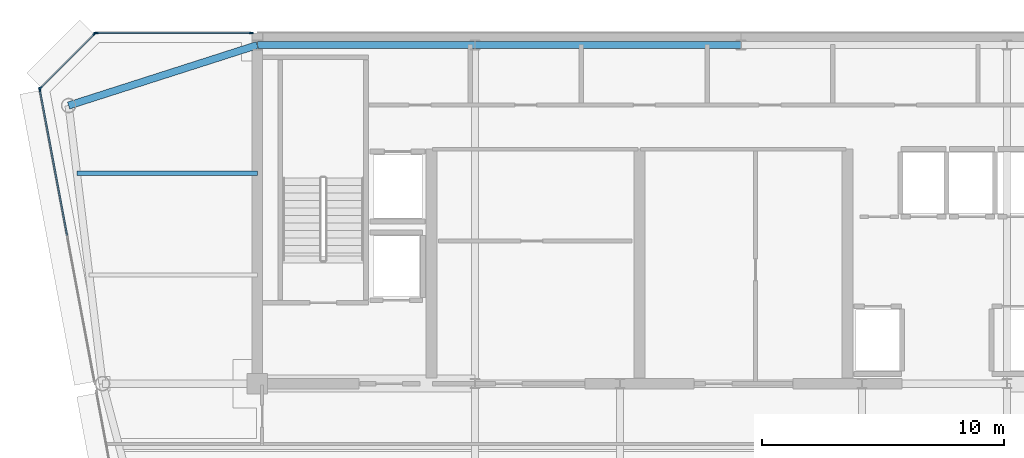
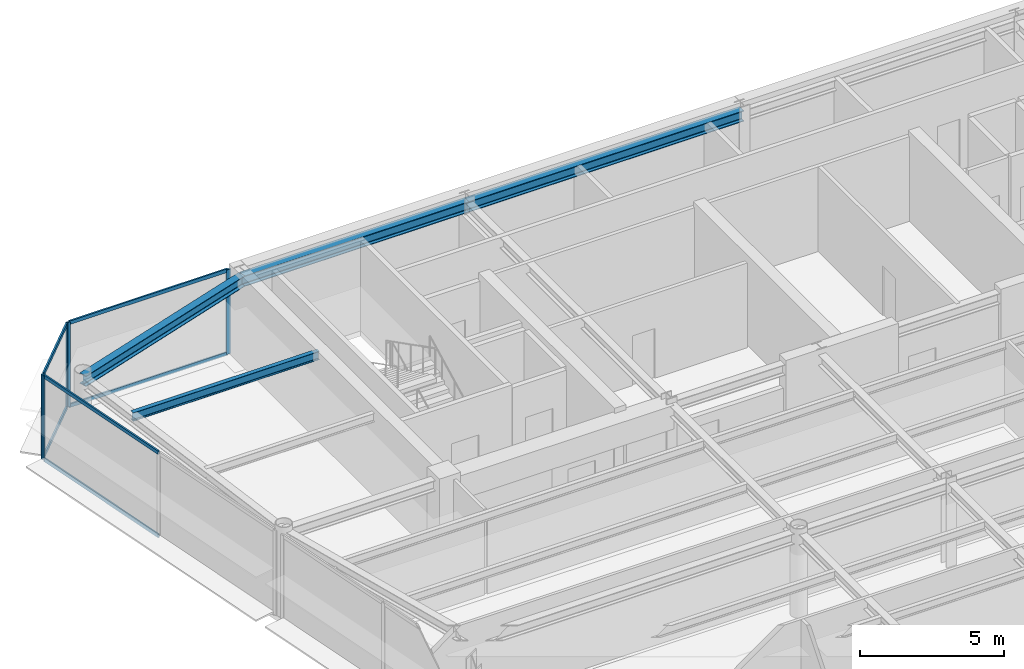
# One storey, part 8 of 20: 11 members, 4 beams, 3 elements without a shape of their own.
"""IFC4 building model written with IfcOpenShell, lengths in metres."""

from ifc_helpers import new_model, si_unit, direction, frame, origin, origin_2d, place, context, subcontext, project, spatial, rectangle, i_section, extrude, source, transform, mapped, material, layer, layer_set, material_profile, profile_set, type_object, element, aggregate, save


model = new_model("IFC4")

# Units and contexts
model_context = context("Model", 3, precision=1e-05, world=origin(), true_north=direction((0.0, 1.0)))
body_context = subcontext(model_context, "Body", "Model", "MODEL_VIEW")
ifc_project = project(units=[si_unit("LENGTHUNIT", "METRE"), si_unit("AREAUNIT", "SQUARE_METRE"), si_unit("VOLUMEUNIT", "CUBIC_METRE"), si_unit("PLANEANGLEUNIT", "RADIAN"), si_unit("MASSUNIT", "GRAM", prefix="KILO")], contexts=[model_context])

# Site, building, storey
site_placement = place(None, origin())
site = spatial("IfcSite", under=ifc_project, at=site_placement, CompositionType="ELEMENT")
building_placement = place(site_placement, origin())
building = spatial("IfcBuilding", under=site, at=building_placement, Name="Vaeldorn Concourse Tower", CompositionType="ELEMENT")
storey_placement = place(building_placement, frame((0.0, 0.0, 295.39990234375)))
storey = spatial("IfcBuildingStorey", under=building, at=storey_placement, Name="L76", CompositionType="ELEMENT", Elevation=295.39990234375)

# Beams
ifc_material_1 = material(Name="Steel S355", Category="steel")
ifc_material_profile_1 = material_profile(ifc_material_1, i_section(OverallWidth=0.300048828125, OverallDepth=0.449951171875, WebThickness=0.013916015625, FlangeThickness=0.02587890625, FilletRadius=0.027099609375, at=origin_2d()), Name="HEB 450")
ifc_profile_set_1 = profile_set([ifc_material_profile_1], Name="Steel S355")
beam_type_1 = type_object("IfcBeamType", Name="BM-PG-HEB450", PredefinedType="BEAM", material=ifc_profile_set_1)
shared_shape_1 = source(origin(), body_context, "Body", "SweptSolid", [
    extrude(i_section(OverallWidth=0.300048828125, OverallDepth=0.449951171875, WebThickness=0.013916015625, FlangeThickness=0.02587890625, FilletRadius=0.027099609375, at=origin_2d()), origin(), (0.0, 0.0, 1.0), 11.0),
])
beam_1_placement = place(storey_placement, frame((23.0, 50.5, 3.35498046875), z_axis=(1.0, 0.0, 0.0), x_axis=(0.0, 1.0, 0.0)))
element("IfcBeam", 1, at=beam_1_placement, inside=storey, type_object=beam_type_1, Name="Beam BM-L76-C-HC2-C-HC3", PredefinedType="BEAM", context=body_context, shape_type="MappedRepresentation", body=[
    mapped(shared_shape_1, transform((0.0, 0.0, 0.0), scale=1.0)),
])
ifc_material_profile_2 = material_profile(ifc_material_1, i_section(OverallWidth=0.169921875, OverallDepth=0.360107421875, WebThickness=0.008056640625, FlangeThickness=0.0126953125, FilletRadius=0.01806640625, at=origin_2d()), Name="IPE 360")
ifc_profile_set_2 = profile_set([ifc_material_profile_2], Name="Steel S355")
beam_type_2 = type_object("IfcBeamType", Name="BM-JS-IPE360", PredefinedType="JOIST", material=ifc_profile_set_2)
shared_shape_2 = source(origin(), body_context, "Body", "SweptSolid", [
    extrude(i_section(OverallWidth=0.169921875, OverallDepth=0.360107421875, WebThickness=0.008056640625, FlangeThickness=0.0126953125, FilletRadius=0.01806640625, at=origin_2d()), origin(), (0.0, 0.0, 1.0), 7.458984375),
])
beam_2_placement = place(storey_placement, frame((6.541015625, 45.199951171875, 3.400146484375), z_axis=(1.0, 0.0, 0.0), x_axis=(0.0, 1.0, 0.0)))
element("IfcBeam", 2, at=beam_2_placement, inside=storey, type_object=beam_type_2, Name="Beam JS-L76-NW-452", PredefinedType="JOIST", context=body_context, shape_type="MappedRepresentation", body=[
    mapped(shared_shape_2, transform((0.0, 0.0, 0.0), scale=1.0)),
])
shared_shape_3 = source(origin(), body_context, "Body", "SweptSolid", [
    extrude(i_section(OverallWidth=0.300048828125, OverallDepth=0.449951171875, WebThickness=0.013916015625, FlangeThickness=0.02587890625, FilletRadius=0.027099609375, at=origin_2d()), origin(), (0.0, 0.0, 1.0), 9.0),
])
beam_3_placement = place(storey_placement, frame((14.0, 50.5, 3.35498046875), z_axis=(1.0, 0.0, 0.0), x_axis=(0.0, 1.0, 0.0)))
element("IfcBeam", 3, at=beam_3_placement, inside=storey, type_object=beam_type_1, Name="Beam BM-L76-C-HC1-C-HC2", PredefinedType="BEAM", context=body_context, shape_type="MappedRepresentation", body=[
    mapped(shared_shape_3, transform((0.0, 0.0, 0.0), scale=1.0)),
])
shared_shape_4 = source(origin(), body_context, "Body", "SweptSolid", [
    extrude(i_section(OverallWidth=0.300048828125, OverallDepth=0.449951171875, WebThickness=0.013916015625, FlangeThickness=0.02587890625, FilletRadius=0.027099609375, at=origin_2d()), origin(), (0.0, 0.0, 1.0), 8.19091796875),
])
beam_4_placement = place(storey_placement, frame((6.199951171875, 48.0, 3.35498046875), z_axis=(0.952282843383, 0.305216949396, 0.0), x_axis=(-0.305216949396, 0.952282843383, 0.0)))
element("IfcBeam", 4, at=beam_4_placement, inside=storey, type_object=beam_type_1, Name="Beam BM-L76-C-NW1-C-HC1", PredefinedType="BEAM", context=body_context, shape_type="MappedRepresentation", body=[
    mapped(shared_shape_4, transform((0.0, 0.0, 0.0), scale=1.0)),
])

# Curtain wall, members
ifc_material_2 = material(Name="Anodised Bronze Aluminium", Category="aluminium")
ifc_layer = layer(ifc_material_2, 0.179931640625)
ifc_layer_set = layer_set([ifc_layer], Name="Anodised Bronze Aluminium")
curtain_wall_type = type_object("IfcCurtainWallType", Name="CW-SYS-05", PredefinedType="NOTDEFINED", material=ifc_layer_set)
curtain_wall_1_placement = place(storey_placement, origin())
curtain_wall_1 = element("IfcCurtainWall", 5, at=curtain_wall_1_placement, inside=storey, type_object=curtain_wall_type, Name="Unitised Curtain Wall CW-L76-E10-1", PredefinedType="NOTDEFINED")
ifc_material_profile_3 = material_profile(ifc_material_2, rectangle(XDim=0.06494140625, YDim=0.14990234375, at=origin_2d()), Name="CWT 65x150")
ifc_profile_set_3 = profile_set([ifc_material_profile_3], Name="Anodised Bronze Aluminium")
member_type_1 = type_object("IfcMemberType", Name="CWT-BRONZE-150", PredefinedType="USERDEFINED", material=ifc_profile_set_3)
shared_shape_5 = source(origin(), body_context, "Body", "SweptSolid", [
    extrude(rectangle(XDim=0.06494140625, YDim=0.14990234375, at=origin_2d()), origin(), (0.0, 0.0, 1.0), 3.123046875),
])
member_1_placement = place(storey_placement, frame((7.254150390625, 50.9541015625, 0.03271484375), z_axis=(-0.707106781187, -0.707106781187, 0.0), x_axis=(0.707106781187, -0.707106781187, 0.0)))
member_1 = element("IfcMember", 6, at=member_1_placement, type_object=member_type_1, Name="CW-05 transom 1.1", ObjectType="TRANSOM", PredefinedType="USERDEFINED", context=body_context, shape_type="MappedRepresentation", body=[
    mapped(shared_shape_5, transform((0.0, 0.0, 0.0), scale=1.0)),
])
member_2_placement = place(storey_placement, frame((7.254150390625, 50.9541015625, 3.547607421875), z_axis=(-0.707106781187, -0.707106781187, 0.0), x_axis=(0.707106781187, -0.707106781187, 0.0)))
member_2 = element("IfcMember", 7, at=member_2_placement, type_object=member_type_1, Name="CW-05 transom 1.2", ObjectType="TRANSOM", PredefinedType="USERDEFINED", context=body_context, shape_type="MappedRepresentation", body=[
    mapped(shared_shape_5, transform((0.0, 0.0, 0.0), scale=1.0)),
])

curtain_wall_2_placement = place(storey_placement, origin())
curtain_wall_2 = element("IfcCurtainWall", 8, at=curtain_wall_2_placement, inside=storey, type_object=curtain_wall_type, Name="Unitised Curtain Wall CW-L76-E09-2", PredefinedType="NOTDEFINED")
ifc_material_profile_4 = material_profile(ifc_material_2, rectangle(XDim=0.06494140625, YDim=0.169921875, at=origin_2d()), Name="CWM 65x170")
ifc_profile_set_4 = profile_set([ifc_material_profile_4], Name="Anodised Bronze Aluminium")
member_type_2 = type_object("IfcMemberType", Name="CWM-BRONZE-170", PredefinedType="MULLION", material=ifc_profile_set_4)
shared_shape_6 = source(origin(), body_context, "Body", "SweptSolid", [
    extrude(rectangle(XDim=0.06494140625, YDim=0.169921875, at=origin_2d()), origin(), (0.0, 0.0, 1.0), 3.580078125),
])
member_3_placement = place(storey_placement, frame((13.74755859375, 51.0, 0.0), z_axis=(0.0, 0.0, 1.0), x_axis=(0.0, -1.0, 0.0)))
member_3 = element("IfcMember", 9, at=member_3_placement, type_object=member_type_2, Name="CW-05 mullion 1", PredefinedType="MULLION", context=body_context, shape_type="MappedRepresentation", body=[
    mapped(shared_shape_6, transform((0.0, 0.0, 0.0), scale=1.0)),
])
member_4_placement = place(storey_placement, frame((7.33251953125, 51.0, 0.0), z_axis=(0.0, 0.0, 1.0), x_axis=(0.0, -1.0, 0.0)))
member_4 = element("IfcMember", 10, at=member_4_placement, type_object=member_type_2, Name="CW-05 mullion 2", PredefinedType="MULLION", context=body_context, shape_type="MappedRepresentation", body=[
    mapped(shared_shape_6, transform((0.0, 0.0, 0.0), scale=1.0)),
])

# Member
member_5_placement = place(storey_placement, frame((7.277099609375, 50.97705078125, 0.0), z_axis=(0.0, 0.0, 1.0), x_axis=(0.707106781187, -0.707106781187, 0.0)))
member_5 = element("IfcMember", 11, at=member_5_placement, type_object=member_type_2, Name="CW-05 mullion 1", PredefinedType="MULLION", context=body_context, shape_type="MappedRepresentation", body=[
    mapped(shared_shape_6, transform((0.0, 0.0, 0.0), scale=1.0)),
])

member_6_placement = place(storey_placement, frame((5.02294921875, 48.722900390625, 0.0), z_axis=(0.0, 0.0, 1.0), x_axis=(0.707106781187, -0.707106781187, 0.0)))
member_6 = element("IfcMember", 12, at=member_6_placement, type_object=member_type_2, Name="CW-05 mullion 2", PredefinedType="MULLION", context=body_context, shape_type="MappedRepresentation", body=[
    mapped(shared_shape_6, transform((0.0, 0.0, 0.0), scale=1.0)),
])

aggregate(curtain_wall_1, [member_5, member_6, member_1, member_2])

# Curtain wall, member
curtain_wall_3_placement = place(storey_placement, origin())
curtain_wall_3 = element("IfcCurtainWall", 13, at=curtain_wall_3_placement, inside=storey, type_object=curtain_wall_type, Name="Unitised Curtain Wall CW-L76-E11-1", PredefinedType="NOTDEFINED")
member_7_placement = place(storey_placement, frame((5.006103515625, 48.66796875, 0.0), z_axis=(0.0, 0.0, 1.0), x_axis=(0.982880218842, 0.184245693053, 0.0)))
member_7 = element("IfcMember", 14, at=member_7_placement, type_object=member_type_2, Name="CW-05 mullion 1", PredefinedType="MULLION", context=body_context, shape_type="MappedRepresentation", body=[
    mapped(shared_shape_6, transform((0.0, 0.0, 0.0), scale=1.0)),
])

# Member
shared_shape_7 = source(origin(), body_context, "Body", "SweptSolid", [
    extrude(rectangle(XDim=0.06494140625, YDim=0.14990234375, at=origin_2d()), origin(), (0.0, 0.0, 1.0), 6.35009765625),
])
member_8_placement = place(storey_placement, frame((13.715087890625, 51.0, 0.03271484375), z_axis=(-1.0, 0.0, 0.0), x_axis=(0.0, -1.0, 0.0)))
member_8 = element("IfcMember", 15, at=member_8_placement, type_object=member_type_1, Name="CW-05 transom 1.1", ObjectType="TRANSOM", PredefinedType="USERDEFINED", context=body_context, shape_type="MappedRepresentation", body=[
    mapped(shared_shape_7, transform((0.0, 0.0, 0.0), scale=1.0)),
])

member_9_placement = place(storey_placement, frame((13.715087890625, 51.0, 3.547607421875), z_axis=(-1.0, 0.0, 0.0), x_axis=(0.0, -1.0, 0.0)))
member_9 = element("IfcMember", 16, at=member_9_placement, type_object=member_type_1, Name="CW-05 transom 1.2", ObjectType="TRANSOM", PredefinedType="USERDEFINED", context=body_context, shape_type="MappedRepresentation", body=[
    mapped(shared_shape_7, transform((0.0, 0.0, 0.0), scale=1.0)),
])

aggregate(curtain_wall_2, [member_3, member_4, member_8, member_9])

shared_shape_8 = source(origin(), body_context, "Body", "SweptSolid", [
    extrude(rectangle(XDim=0.06494140625, YDim=0.14990234375, at=origin_2d()), origin(), (0.0, 0.0, 1.0), 6.103515625),
])
member_10_placement = place(storey_placement, frame((5.011962890625, 48.63623046875, 0.03271484375), z_axis=(0.18424023288, -0.982881242363, 0.0), x_axis=(0.982881242363, 0.18424023288, 0.0)))
member_10 = element("IfcMember", 17, at=member_10_placement, type_object=member_type_1, Name="CW-05 transom 1.1", ObjectType="TRANSOM", PredefinedType="USERDEFINED", context=body_context, shape_type="MappedRepresentation", body=[
    mapped(shared_shape_8, transform((0.0, 0.0, 0.0), scale=1.0)),
])

member_11_placement = place(storey_placement, frame((5.011962890625, 48.63623046875, 3.547607421875), z_axis=(0.18424023288, -0.982881242363, 0.0), x_axis=(0.982881242363, 0.18424023288, 0.0)))
member_11 = element("IfcMember", 18, at=member_11_placement, type_object=member_type_1, Name="CW-05 transom 1.2", ObjectType="TRANSOM", PredefinedType="USERDEFINED", context=body_context, shape_type="MappedRepresentation", body=[
    mapped(shared_shape_8, transform((0.0, 0.0, 0.0), scale=1.0)),
])

aggregate(curtain_wall_3, [member_7, member_10, member_11])

save(model, "model.ifc")
